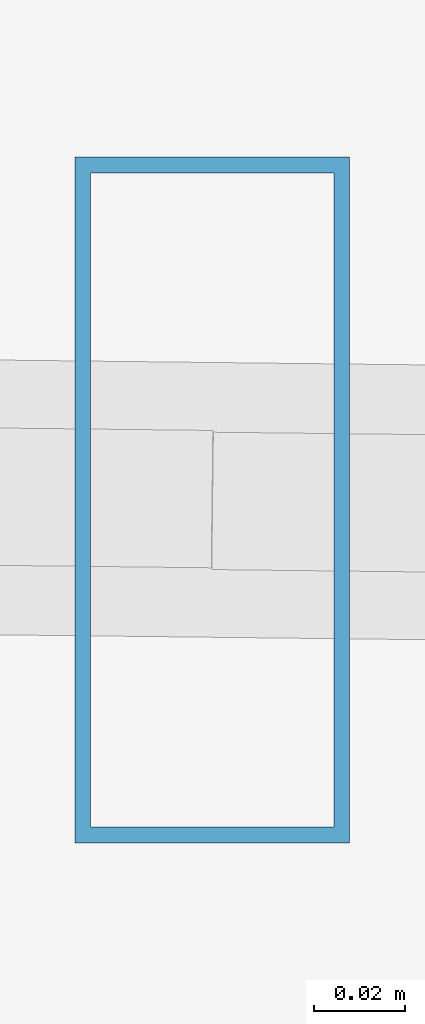
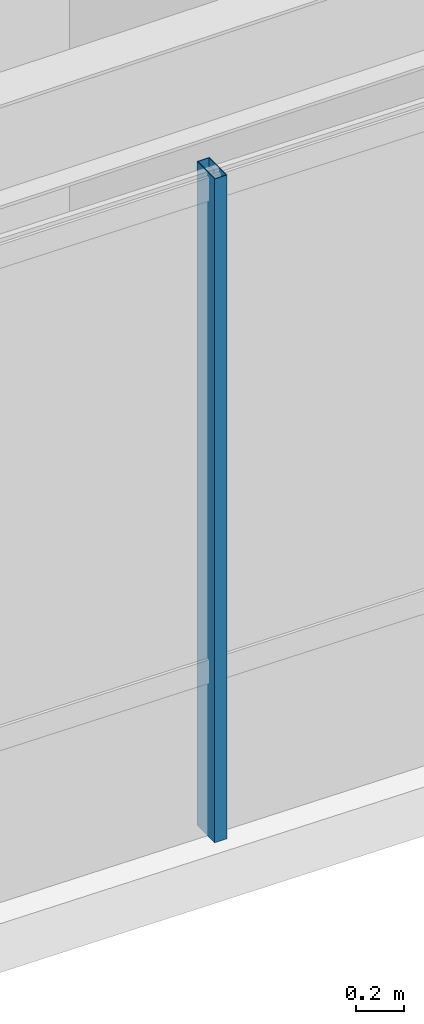
# One storey, part 18 of 41: 1 member, 1 element without a shape of its own.
"""IFC4 building model written with IfcOpenShell, lengths in metres."""

from ifc_helpers import new_model, si_unit, direction, frame, origin, origin_2d, place, context, subcontext, project, spatial, hollow_rectangle, extrude, source, transform, mapped, material, material_profile, profile_set, type_object, type_shapes, element, aggregate, save


model = new_model("IFC4")

# Units and contexts
model_context = context("Model", 3, precision=1e-05, world=origin(), true_north=direction((0.0, 1.0)))
body_context = subcontext(model_context, "Body", "Model", "MODEL_VIEW")
ifc_project = project(units=[si_unit("LENGTHUNIT", "METRE"), si_unit("AREAUNIT", "SQUARE_METRE"), si_unit("VOLUMEUNIT", "CUBIC_METRE"), si_unit("PLANEANGLEUNIT", "RADIAN"), si_unit("MASSUNIT", "GRAM", prefix="KILO")], contexts=[model_context])

# Site, building, storey
site_placement = place(None, origin())
site = spatial("IfcSite", under=ifc_project, at=site_placement, CompositionType="ELEMENT")
building_placement = place(site_placement, origin())
building = spatial("IfcBuilding", under=site, at=building_placement, Name="Caelisora Broadcast Tower", CompositionType="ELEMENT")
storey_placement = place(building_placement, frame((0.0, 0.0, 209.60009765625)))
storey = spatial("IfcBuildingStorey", under=building, at=storey_placement, Name="L55", CompositionType="ELEMENT", Elevation=209.60009765625)

# Curtain wall, member
ifc_material_1 = material(Name="Unitised Aluminium and Low-E Glass Curtain Wall", Category="glass")
curtain_wall_type = type_object("IfcCurtainWallType", Name="CW-Z4", PredefinedType="NOTDEFINED", material=ifc_material_1)
curtain_wall_placement = place(storey_placement, origin())
curtain_wall = element("IfcCurtainWall", 1, at=curtain_wall_placement, inside=storey, type_object=curtain_wall_type, Name="L55 curtain wall CW-Z4", PredefinedType="NOTDEFINED")
ifc_material_2 = material(Name="Aluminium 6063-T6 Anodised Terracotta Bronze", Category="aluminium")
ifc_material_profile = material_profile(ifc_material_2, hollow_rectangle(XDim=0.06005859375, YDim=0.14990234375, WallThickness=0.00341796875, at=origin_2d()), Name="Aluminium 6063-T6 Anodised Terracotta Bronze")
ifc_profile_set = profile_set([ifc_material_profile], Name="Aluminium 6063-T6 Anodised Terracotta Bronze")
member_type = type_object("IfcMemberType", Name="CWM-03", PredefinedType="MULLION", material=ifc_profile_set)
shared_shape = source(origin(), body_context, "Body", "SweptSolid", [
    extrude(hollow_rectangle(XDim=0.06005859375, YDim=0.14990234375, WallThickness=0.00341796875, at=origin_2d()), origin(), (0.0, 0.0, 1.0), 3.39990234375),
])
type_shapes(member_type, [shared_shape])
member_placement = place(storey_placement, frame((50.087158203125, 7.530029296875, 0.0), z_axis=(0.0, 0.0, 1.0), x_axis=(1.0, 0.0, 0.0)))
member = element("IfcMember", 2, at=member_placement, type_object=member_type, Name="L55-CW-B05 mullion #2", PredefinedType="MULLION", context=body_context, shape_type="MappedRepresentation", body=[
    mapped(shared_shape, transform((0.0, 0.0, 0.0), scale=1.0)),
])
aggregate(curtain_wall, [member])

save(model, "model.ifc")
